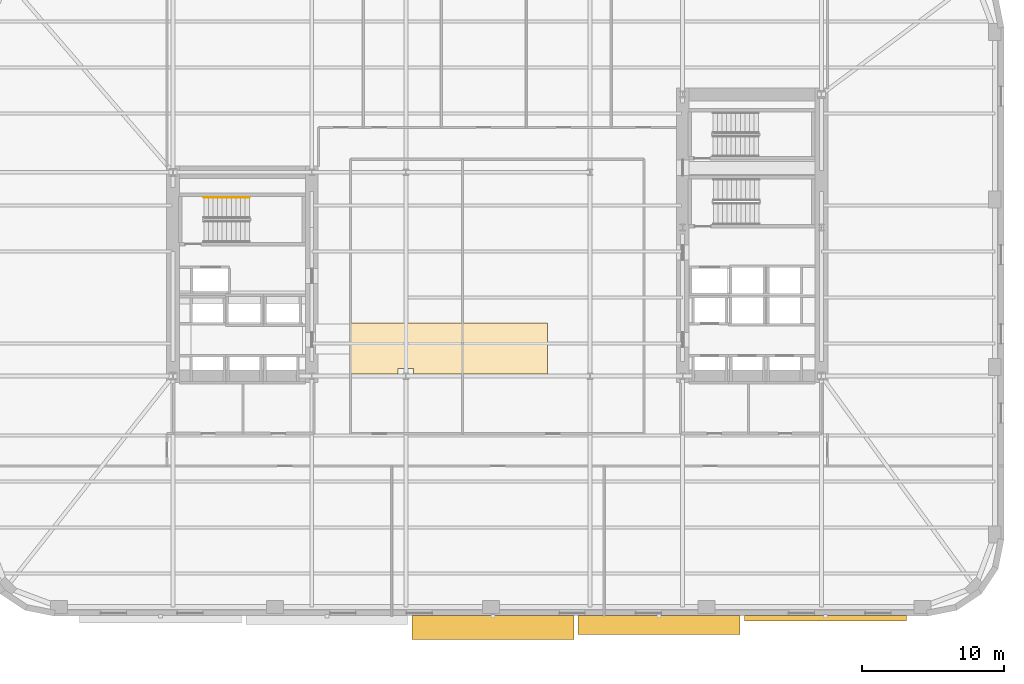
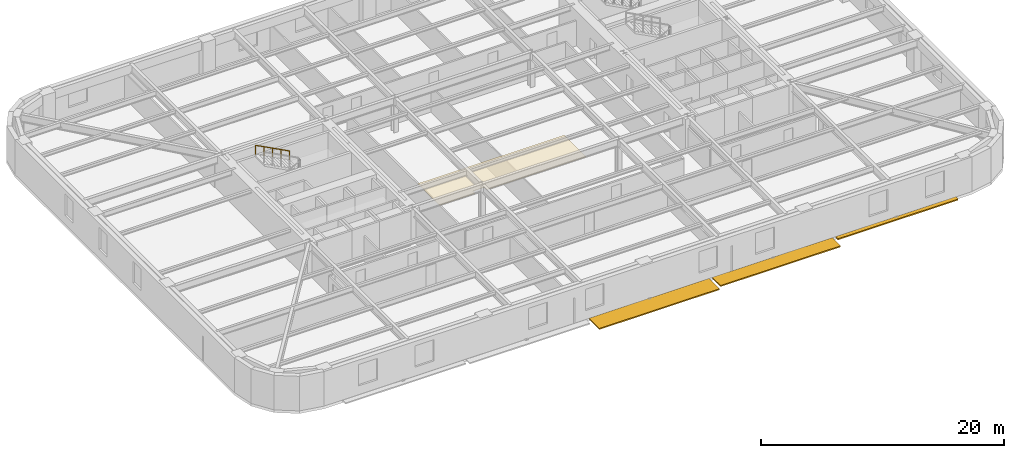
# One storey, part 10 of 14: 3 shading devices, 1 covering, 1 railing.
"""IFC4 building model written with IfcOpenShell, lengths in metres."""

from ifc_helpers import new_model, si_unit, direction, frame, origin, origin_2d, place, context, subcontext, project, spatial, polyline, rectangle, circle, outline, extrude, material, layer, layer_set, type_object, element, save


model = new_model("IFC4")

# Units and contexts
model_context = context("Model", 3, precision=1e-05, world=origin(), true_north=direction((0.0, 1.0)))
body_context = subcontext(model_context, "Body", "Model", "MODEL_VIEW")
ifc_project = project(units=[si_unit("LENGTHUNIT", "METRE"), si_unit("AREAUNIT", "SQUARE_METRE"), si_unit("VOLUMEUNIT", "CUBIC_METRE"), si_unit("PLANEANGLEUNIT", "RADIAN"), si_unit("MASSUNIT", "GRAM", prefix="KILO")], contexts=[model_context])

# Site, building, storey
site_placement = place(None, origin())
site = spatial("IfcSite", under=ifc_project, at=site_placement, CompositionType="ELEMENT")
building_placement = place(site_placement, origin())
building = spatial("IfcBuilding", under=site, at=building_placement, Name="Kolvaren Arena Tower", CompositionType="ELEMENT")
storey_placement = place(building_placement, frame((0.0, 0.0, 53.25)))
storey = spatial("IfcBuildingStorey", under=building, at=storey_placement, Name="L10", CompositionType="ELEMENT", Elevation=53.25)

# Covering
ifc_material_1 = material(Name="Mineral fibre acoustic ceiling tile", Category="gypsum")
ifc_layer = layer(ifc_material_1, 0.02490234375)
ifc_layer_set = layer_set([ifc_layer], Name="Mineral fibre acoustic ceiling tile")
covering_type = type_object("IfcCoveringType", Name="CEIL-ACT-1", PredefinedType="CEILING", material=ifc_layer_set)
covering_placement = place(storey_placement, frame((0.0, 0.0, 2.52001953125)))
element("IfcCovering", 1, at=covering_placement, inside=storey, type_object=covering_type, Name="Suspended Ceiling (L10)", PredefinedType="CEILING", context=body_context, shape_type="SweptSolid", body=[
    extrude(outline(polyline([(27.050048828125, 19.60009765625), (27.050048828125, 23.199951171875), (41.0, 23.199951171875), (41.0, 19.60009765625), (31.550048828125, 19.60009765625), (31.550048828125, 20.0), (30.449951171875, 20.0), (30.449951171875, 19.60009765625), (27.050048828125, 19.60009765625)])), origin(), (0.0, 0.0, 1.0), 0.02490234375),
])

# Railing
ifc_material_2 = material(Name="Brushed stainless steel handrail", Category="steel")
railing_type = type_object("IfcRailingType", Name="HRAIL-900", PredefinedType="HANDRAIL", material=ifc_material_2)
railing_placement = place(storey_placement, frame((19.9599609375, 32.080078125, 2.04541015625)))
element("IfcRailing", 2, at=railing_placement, inside=storey, type_object=railing_type, Name="L10 ST-W1 stair handrail 2", PredefinedType="HANDRAIL", context=body_context, shape_type="SweptSolid", body=[
    extrude(circle(Radius=0.02392578125, at=origin_2d()), frame((0.0, 0.0, 0.8759765625), z_axis=(-0.884993431791, 0.0, 0.465603506952), x_axis=(0.0, -1.0, 0.0)), (0.0, 0.0, 1.0), 3.6611328125),
    extrude(circle(Radius=0.02099609375, at=origin_2d()), origin(), (0.0, 0.0, 1.0), 0.851806640625),
    extrude(circle(Radius=0.02099609375, at=origin_2d()), frame((-0.81005859375, 0.0, 0.42626953125)), (0.0, 0.0, 1.0), 0.851806640625),
    extrude(circle(Radius=0.02099609375, at=origin_2d()), frame((-1.6201171875, 0.0, 0.852294921875)), (0.0, 0.0, 1.0), 0.851806640625),
    extrude(circle(Radius=0.02099609375, at=origin_2d()), frame((-2.429931640625, 0.0, 1.2783203125)), (0.0, 0.0, 1.0), 0.851806640625),
    extrude(circle(Radius=0.02099609375, at=origin_2d()), frame((-3.239990234375, 0.0, 1.70458984375)), (0.0, 0.0, 1.0), 0.851806640625),
])

# Shading devices
ifc_material_3 = material(Name="Architectural precast GFRC and anodised aluminium sunshade", Category="concrete")
shading_device_type_1 = type_object("IfcShadingDeviceType", Name="SHAD-SINE-A", PredefinedType="USERDEFINED", material=ifc_material_3)
shading_device_1_placement = place(storey_placement, frame((60.6298828125, 2.358154296875, -0.14013671875), z_axis=(0.0, 0.0, 1.0), x_axis=(-1.0, 0.0, 0.0)))
element("IfcShadingDevice", 3, at=shading_device_1_placement, inside=storey, type_object=shading_device_type_1, Name="Sinusoidal Slab-Edge Sunshade Louvre (L10)", ObjectType="LOUVRE", PredefinedType="USERDEFINED", context=body_context, shape_type="SweptSolid", body=[
    extrude(rectangle(XDim=11.43994140625, YDim=0.3837890625, at=origin_2d()), origin(), (0.0, 0.0, 1.0), 0.1201171875),
])
shading_device_type_2 = type_object("IfcShadingDeviceType", Name="SHAD-SINE-B", PredefinedType="JALOUSIE", material=ifc_material_3)
shading_device_2_placement = place(storey_placement, frame((48.889892578125, 1.868408203125, -0.14013671875), z_axis=(0.0, 0.0, 1.0), x_axis=(-1.0, 0.0, 0.0)))
element("IfcShadingDevice", 4, at=shading_device_2_placement, inside=storey, type_object=shading_device_type_2, Name="Sinusoidal Slab-Edge Sunshade Louvre (L10)", PredefinedType="JALOUSIE", context=body_context, shape_type="SweptSolid", body=[
    extrude(rectangle(XDim=11.43994140625, YDim=1.36279296875, at=origin_2d()), origin(), (0.0, 0.0, 1.0), 0.1201171875),
])
shading_device_3_placement = place(storey_placement, frame((37.14990234375, 1.6962890625, -0.14013671875), z_axis=(0.0, 0.0, 1.0), x_axis=(-1.0, 0.0, 0.0)))
element("IfcShadingDevice", 5, at=shading_device_3_placement, inside=storey, type_object=shading_device_type_2, Name="Sinusoidal Slab-Edge Sunshade Louvre (L10)", PredefinedType="JALOUSIE", context=body_context, shape_type="SweptSolid", body=[
    extrude(rectangle(XDim=11.43994140625, YDim=1.70751953125, at=origin_2d()), origin(), (0.0, 0.0, 1.0), 0.1201171875),
])

save(model, "model.ifc")
